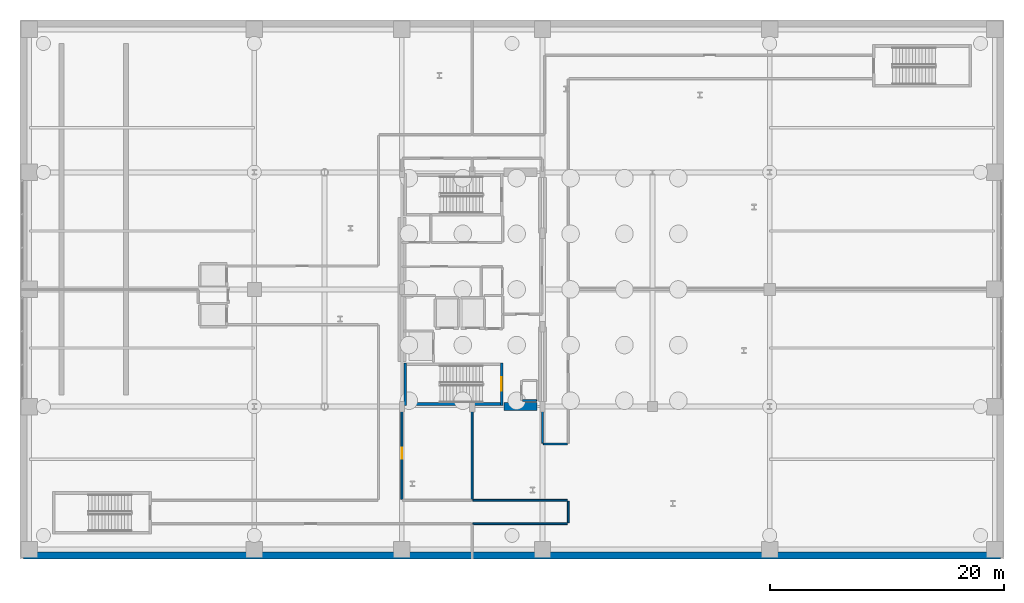
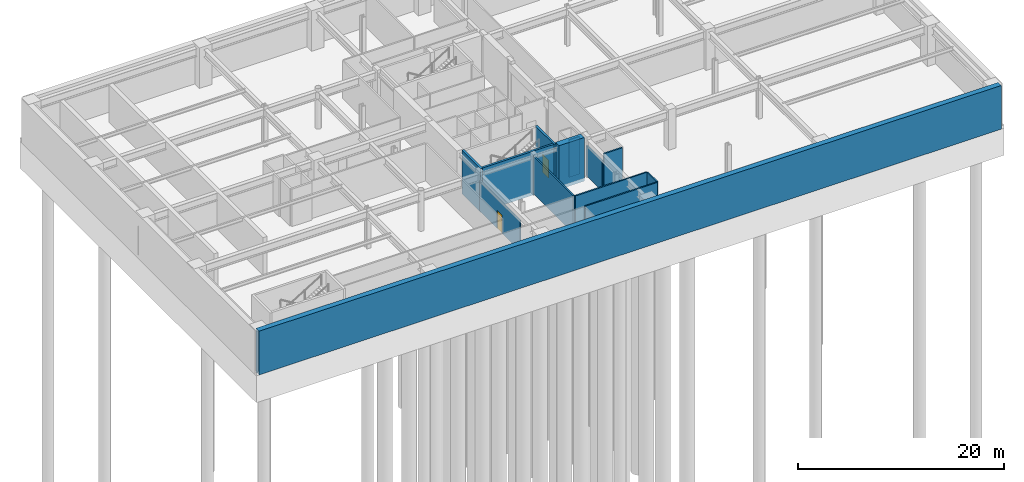
# One storey, part 18 of 25: 13 walls, 2 doors, 2 openings.
"""IFC4 building model written with IfcOpenShell, lengths in metres."""

from ifc_helpers import new_model, si_unit, direction, frame, frame_2d, origin, place, context, subcontext, project, spatial, rectangle, extrude, material, layer, layer_set, type_object, element, fill, save


model = new_model("IFC4")

# Units and contexts
model_context = context("Model", 3, precision=1e-05, world=origin(), true_north=direction((0.0, 1.0)))
body_context = subcontext(model_context, "Body", "Model", "MODEL_VIEW")
ifc_project = project(units=[si_unit("LENGTHUNIT", "METRE"), si_unit("AREAUNIT", "SQUARE_METRE"), si_unit("VOLUMEUNIT", "CUBIC_METRE"), si_unit("PLANEANGLEUNIT", "RADIAN"), si_unit("MASSUNIT", "GRAM", prefix="KILO")], contexts=[model_context])

# Site, building, storey
site_placement = place(None, origin())
site = spatial("IfcSite", under=ifc_project, at=site_placement, CompositionType="ELEMENT")
building_placement = place(site_placement, origin())
building = spatial("IfcBuilding", under=site, at=building_placement, Name="Soratama Intermodal Tower", CompositionType="ELEMENT")
storey_placement = place(building_placement, frame((0.0, 0.0, -10.199951171875)))
storey = spatial("IfcBuildingStorey", under=building, at=storey_placement, Name="B2", CompositionType="ELEMENT", Elevation=-10.199951171875)

# Walls
ifc_material_1 = material(Name="Fire-rated gypsum stud partition", Category="concrete")
ifc_layer_1 = layer(ifc_material_1, 0.14990234375)
ifc_layer_set_1 = layer_set([ifc_layer_1], Name="Fire-rated gypsum stud partition")
wall_type_1 = type_object("IfcWallType", Name="IW-PART-R150", PredefinedType="PARTITIONING", material=ifc_layer_set_1)
wall_1_placement = place(storey_placement, frame((42.89990234375, 15.52001953125, 0.0), z_axis=(0.0, 0.0, 1.0), x_axis=(1.0, 0.0, 0.0)))
element("IfcWall", 1, at=wall_1_placement, inside=storey, type_object=wall_type_1, Name="B2 Riser Wall S", PredefinedType="PARTITIONING", context=body_context, shape_type="SweptSolid", body=[
    extrude(rectangle(XDim=1.2001953125, YDim=0.14990234375, at=frame_2d((0.60009765625, 0.0))), origin(), (0.0, 0.0, 1.0), 4.43994140625),
])
ifc_material_2 = material(Name="Fire-rated gypsum stud partition", Category="concrete")
ifc_layer_2 = layer(ifc_material_2, 0.159912109375)
ifc_layer_set_2 = layer_set([ifc_layer_2], Name="Fire-rated gypsum stud partition")
wall_type_2 = type_object("IfcWallType", Name="IW-PART-R160", PredefinedType="PARTITIONING", material=ifc_layer_set_2)
for number, where, z_axis, x_axis, name in (
    (2, (38.669921875, 7.0, 0.0), (0.0, 0.0, 1.0), (1.0, 0.0, 0.0), "B2 Partition W-B2-TP014"),
    (3, (46.72998046875, 5.0, 0.0), (0.0, 0.0, 1.0), (-1.0, 0.0, 0.0), "B2 Partition W-B2-TP015"),
):
    element("IfcWall", number, at=place(storey_placement, frame(where, z_axis=z_axis, x_axis=x_axis)), inside=storey, type_object=wall_type_2, Name=name, PredefinedType="PARTITIONING", context=body_context, shape_type="SweptSolid", body=[
        extrude(rectangle(XDim=8.06005859375, YDim=0.159912109375, at=frame_2d((4.030029296875, 0.0))), origin(), (0.0, 0.0, 1.0), 4.43994140625),
    ])

# Wall, opening, door
wall_2_placement = place(storey_placement, frame((32.60009765625, 14.929931640625, 0.0), z_axis=(0.0, 0.0, 1.0), x_axis=(0.0, -1.0, 0.0)))
wall_2 = element("IfcWall", 4, at=wall_2_placement, inside=storey, type_object=wall_type_2, Name="B2 Partition W-B2-TP016", PredefinedType="PARTITIONING", context=body_context, shape_type="SweptSolid", body=[
    extrude(rectangle(XDim=7.85986328125, YDim=0.159912109375, at=frame_2d((3.929931640625, 0.0))), origin(), (0.0, 0.0, 1.0), 3.56201171875),
])
opening_1_placement = place(wall_2_placement, frame((3.455078125, 0.0, 0.0)))
opening_1 = element("IfcOpeningElement", 5, at=opening_1_placement, cuts=wall_2, Name="Opening ID-3", PredefinedType="OPENING", context=body_context, shape_type="SweptSolid", body=[
    extrude(rectangle(XDim=0.949951171875, YDim=2.14990234375, at=frame_2d((0.47509765625, 1.074951171875))), frame((0.0, 0.08984375, 0.0), z_axis=(0.0, -1.0, 0.0), x_axis=(1.0, 0.0, 0.0)), (0.0, 0.0, 1.0), 0.179931640625),
])
ifc_material_3 = material(Name="Solid hardwood acoustic door", Category="wood")
door_type_1 = type_object("IfcDoorType", Name="DR-ROOM-950", OperationType="NOTDEFINED", PredefinedType="DOOR", material=ifc_material_3)
door_1_placement = place(opening_1_placement, origin())
door_1 = element("IfcDoor", 6, at=door_1_placement, inside=storey, type_object=door_type_1, Name="B2 Door D-B2-TP005", OperationType="SINGLE_SWING_RIGHT", OverallHeight=2.14990234375, OverallWidth=0.949951171875, PredefinedType="DOOR", context=body_context, shape_type="SweptSolid", body=[
    extrude(rectangle(XDim=0.949951171875, YDim=2.14990234375, at=frame_2d((0.47509765625, 1.074951171875))), frame((0.0, 0.02490234375, 0.0), z_axis=(0.0, -1.0, 0.0), x_axis=(1.0, 0.0, 0.0)), (0.0, 0.0, 1.0), 0.050048828125),
])
fill(opening_1, door_1)

# Walls
wall_3_placement = place(storey_placement, frame((38.60009765625, 14.929931640625, 0.0), z_axis=(0.0, 0.0, 1.0), x_axis=(0.0, -1.0, 0.0)))
element("IfcWall", 7, at=wall_3_placement, inside=storey, type_object=wall_type_2, Name="B2 Partition W-B2-TP018", PredefinedType="PARTITIONING", context=body_context, shape_type="SweptSolid", body=[
    extrude(rectangle(XDim=7.85986328125, YDim=0.159912109375, at=frame_2d((3.929931640625, 0.0))), origin(), (0.0, 0.0, 1.0), 4.43994140625),
])
wall_4_placement = place(storey_placement, frame((44.60009765625, 11.8701171875, 0.0), z_axis=(0.0, 0.0, 1.0), x_axis=(0.0, 1.0, 0.0)))
element("IfcWall", 8, at=wall_4_placement, inside=storey, type_object=wall_type_2, Name="B2 Partition W-B2-TP028", PredefinedType="PARTITIONING", context=body_context, shape_type="SweptSolid", body=[
    extrude(rectangle(XDim=3.059814453125, YDim=0.159912109375, at=frame_2d((1.52978515625, 0.0))), origin(), (0.0, 0.0, 1.0), 3.56201171875),
])
wall_5_placement = place(storey_placement, frame((46.72998046875, 11.800048828125, 0.0), z_axis=(0.0, 0.0, 1.0), x_axis=(-1.0, 0.0, 0.0)))
element("IfcWall", 9, at=wall_5_placement, inside=storey, type_object=wall_type_2, Name="B2 Partition W-B2-TP036", PredefinedType="PARTITIONING", context=body_context, shape_type="SweptSolid", body=[
    extrude(rectangle(XDim=2.06005859375, YDim=0.159912109375, at=frame_2d((1.030029296875, 0.0))), origin(), (0.0, 0.0, 1.0), 4.43994140625),
])
wall_6_placement = place(storey_placement, frame((46.800048828125, 6.929931640625, 0.0), z_axis=(0.0, 0.0, 1.0), x_axis=(0.0, -1.0, 0.0)))
element("IfcWall", 10, at=wall_6_placement, inside=storey, type_object=wall_type_2, Name="B2 Partition W-B2-TP037", PredefinedType="PARTITIONING", context=body_context, shape_type="SweptSolid", body=[
    extrude(rectangle(XDim=1.85986328125, YDim=0.159912109375, at=frame_2d((0.929931640625, 0.0))), origin(), (0.0, 0.0, 1.0), 4.43994140625),
])
ifc_material_4 = material(Name="Concrete f'c 42 MPa", Category="concrete")
ifc_layer_3 = layer(ifc_material_4, 0.60009765625)
ifc_layer_set_3 = layer_set([ifc_layer_3], Name="Concrete f'c 42 MPa")
wall_type_3 = type_object("IfcWallType", Name="RW-BSMT-600", PredefinedType="USERDEFINED", material=ifc_layer_set_3)
wall_7_placement = place(storey_placement, frame((0.300048828125, 2.300048828125, -0.400146484375), z_axis=(0.0, 0.0, 1.0), x_axis=(1.0, 0.0, 0.0)))
element("IfcWall", 11, at=wall_7_placement, inside=storey, type_object=wall_type_3, Name="B2 Retaining Wall S", ObjectType="RETAINING WALL", PredefinedType="USERDEFINED", context=body_context, shape_type="SweptSolid", body=[
    extrude(rectangle(XDim=83.39990234375, YDim=0.60009765625, at=frame_2d((41.699951171875, 0.0))), origin(), (0.0, 0.0, 1.0), 5.2001953125),
])
ifc_material_5 = material(Name="Concrete f'c 56 MPa", Category="concrete")
ifc_layer_4 = layer(ifc_material_5, 0.699951171875)
ifc_layer_set_4 = layer_set([ifc_layer_4], Name="Concrete f'c 56 MPa")
wall_type_4 = type_object("IfcWallType", Name="SW-CORE-700", PredefinedType="SHEAR", material=ifc_layer_set_4)
wall_8_placement = place(storey_placement, frame((41.300048828125, 15.0, -0.400146484375), z_axis=(0.0, 0.0, 1.0), x_axis=(1.0, 0.0, 0.0)))
element("IfcWall", 12, at=wall_8_placement, inside=storey, type_object=wall_type_4, Name="B2 Core Shear Wall CW-SE", PredefinedType="SHEAR", context=body_context, shape_type="SweptSolid", body=[
    extrude(rectangle(XDim=2.849853515625, YDim=0.699951171875, at=frame_2d((1.4248046875, 0.0))), origin(), (0.0, 0.0, 1.0), 5.2001953125),
])
ifc_material_6 = material(Name="Concrete f'c 56 MPa", Category="concrete")
ifc_layer_5 = layer(ifc_material_6, 0.239990234375)
ifc_layer_set_5 = layer_set([ifc_layer_5], Name="Concrete f'c 56 MPa")
wall_type_5 = type_object("IfcWallType", Name="SW-STAIR-240", PredefinedType="SHEAR", material=ifc_layer_set_5)
wall_9_placement = place(storey_placement, frame((32.8798828125, 15.110107421875, -0.400146484375), z_axis=(0.0, 0.0, 1.0), x_axis=(0.0, 1.0, 0.0)))
element("IfcWall", 13, at=wall_9_placement, inside=storey, type_object=wall_type_5, Name="B2 ST-1 Shaft Shear Wall W", PredefinedType="SHEAR", context=body_context, shape_type="SweptSolid", body=[
    extrude(rectangle(XDim=3.6298828125, YDim=0.239990234375, at=frame_2d((1.81494140625, 0.0))), origin(), (0.0, 0.0, 1.0), 5.2001953125),
])

# Wall, opening, door
wall_10_placement = place(storey_placement, frame((41.1201171875, 15.110107421875, -0.400146484375), z_axis=(0.0, 0.0, 1.0), x_axis=(0.0, 1.0, 0.0)))
wall_10 = element("IfcWall", 14, at=wall_10_placement, inside=storey, type_object=wall_type_5, Name="B2 ST-1 Shaft Shear Wall E", PredefinedType="SHEAR", context=body_context, shape_type="SweptSolid", body=[
    extrude(rectangle(XDim=3.6298828125, YDim=0.239990234375, at=frame_2d((1.81494140625, 0.0))), origin(), (0.0, 0.0, 1.0), 5.2001953125),
])
opening_2_placement = place(wall_10_placement, frame((1.2548828125, 0.0, 0.39990234375)))
opening_2 = element("IfcOpeningElement", 15, at=opening_2_placement, cuts=wall_10, Name="Opening SD-1", PredefinedType="OPENING", context=body_context, shape_type="SweptSolid", body=[
    extrude(rectangle(XDim=1.1201171875, YDim=2.14990234375, at=frame_2d((0.56005859375, 1.074951171875))), frame((0.0, 0.1298828125, 0.0), z_axis=(0.0, -1.0, 0.0), x_axis=(1.0, 0.0, 0.0)), (0.0, 0.0, 1.0), 0.260009765625),
])
ifc_material_7 = material(Name="Steel fire door", Category="steel")
door_type_2 = type_object("IfcDoorType", Name="DR-STAIR-FD90", OperationType="NOTDEFINED", PredefinedType="DOOR", material=ifc_material_7)
door_2_placement = place(opening_2_placement, origin())
door_2 = element("IfcDoor", 16, at=door_2_placement, inside=storey, type_object=door_type_2, Name="B2 ST-1 Exit Stair Door", OperationType="SINGLE_SWING_LEFT", OverallHeight=2.14990234375, OverallWidth=1.1201171875, PredefinedType="DOOR", context=body_context, shape_type="SweptSolid", body=[
    extrude(rectangle(XDim=1.1201171875, YDim=2.14990234375, at=frame_2d((0.56005859375, 1.074951171875))), frame((0.0, 0.02490234375, 0.0), z_axis=(0.0, -1.0, 0.0), x_axis=(1.0, 0.0, 0.0)), (0.0, 0.0, 1.0), 0.050048828125),
])
fill(opening_2, door_2)

# Wall
wall_11_placement = place(storey_placement, frame((33.0, 15.22998046875, -0.400146484375), z_axis=(0.0, 0.0, 1.0), x_axis=(1.0, 0.0, 0.0)))
element("IfcWall", 17, at=wall_11_placement, inside=storey, type_object=wall_type_5, Name="B2 ST-1 Shaft Shear Wall S", PredefinedType="SHEAR", context=body_context, shape_type="SweptSolid", body=[
    extrude(rectangle(XDim=8.0, YDim=0.239990234375, at=frame_2d((4.0, 0.0))), origin(), (0.0, 0.0, 1.0), 5.2001953125),
])

save(model, "model.ifc")
